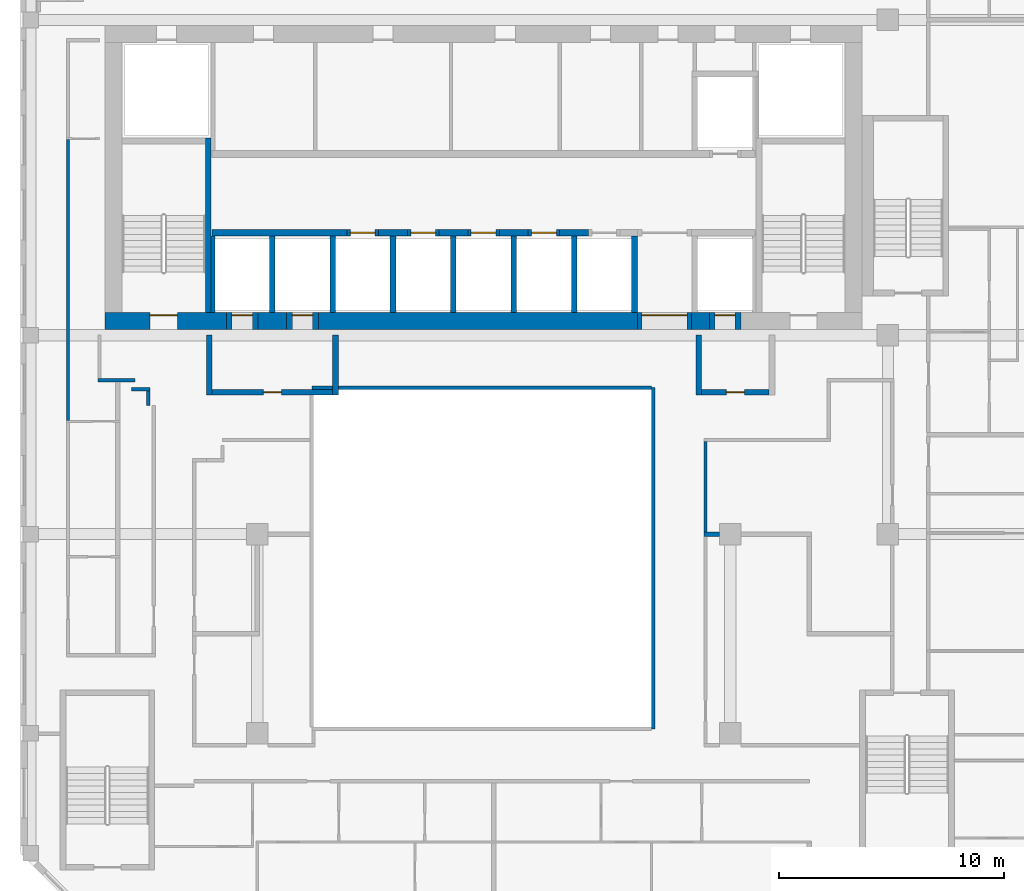
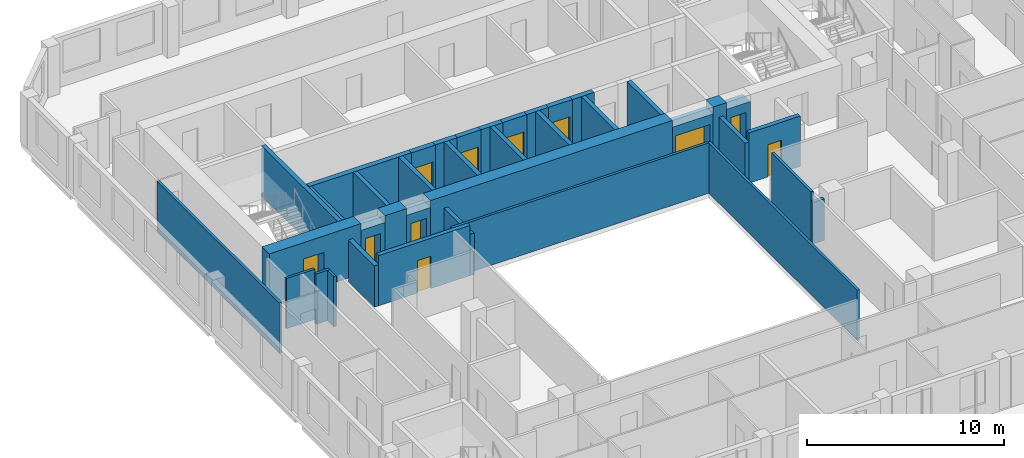
# One storey, part 4 of 19: 39 walls, 11 doors, 11 openings.
"""IFC4 building model written with IfcOpenShell, lengths in metres."""

from ifc_helpers import new_model, si_unit, direction, frame, frame_2d, origin, place, context, subcontext, project, spatial, rectangle, extrude, source, transform, mapped, material, layer, layer_set, type_object, element, fill, save


model = new_model("IFC4")

# Units and contexts
model_context = context("Model", 3, precision=1e-05, world=origin(), true_north=direction((0.0, 1.0)))
body_context = subcontext(model_context, "Body", "Model", "MODEL_VIEW")
ifc_project = project(units=[si_unit("LENGTHUNIT", "METRE"), si_unit("AREAUNIT", "SQUARE_METRE"), si_unit("VOLUMEUNIT", "CUBIC_METRE"), si_unit("PLANEANGLEUNIT", "RADIAN"), si_unit("MASSUNIT", "GRAM", prefix="KILO")], contexts=[model_context])

# Site, building, storey
site_placement = place(None, origin())
site = spatial("IfcSite", under=ifc_project, at=site_placement, CompositionType="ELEMENT")
building_placement = place(site_placement, origin())
building = spatial("IfcBuilding", under=site, at=building_placement, Name="Kilnfold Tower and Market Hall", CompositionType="ELEMENT")
storey_placement = place(building_placement, frame((0.0, 0.0, 252.60009765625)))
storey = spatial("IfcBuildingStorey", under=building, at=storey_placement, Name="L61", CompositionType="ELEMENT", Elevation=252.60009765625)

# Walls
ifc_material_1 = material(Name="Fire-resisting glazed screen")
ifc_layer_1 = layer(ifc_material_1, 0.14990234375)
ifc_layer_set_1 = layer_set([ifc_layer_1], Name="Fire-resisting glazed screen")
wall_type_1 = type_object("IfcWallType", Name="WALL ATRIUM 150", PredefinedType="PARTITIONING", material=ifc_layer_set_1)
wall_1_placement = place(storey_placement, frame((-6.574951171875, 5.675048828125, 0.0), z_axis=(0.0, 0.0, 1.0), x_axis=(1.0, 0.0, 0.0)))
element("IfcWall", 1, at=wall_1_placement, inside=storey, type_object=wall_type_1, Name="Partition LY37.109", PredefinedType="PARTITIONING", context=body_context, shape_type="SweptSolid", body=[
    extrude(rectangle(XDim=15.074951171875, YDim=0.14990234375, at=frame_2d((7.53759765625, 0.0))), origin(), (0.0, 0.0, 1.0), 3.119873046875),
])
wall_2_placement = place(storey_placement, frame((8.574951171875, 5.675048828125, 0.0), z_axis=(0.0, 0.0, 1.0), x_axis=(0.0, -1.0, 0.0)))
element("IfcWall", 2, at=wall_2_placement, inside=storey, type_object=wall_type_1, Name="Partition LY37.110", PredefinedType="PARTITIONING", context=body_context, shape_type="SweptSolid", body=[
    extrude(rectangle(XDim=15.150146484375, YDim=0.14990234375, at=frame_2d((7.5751953125, 0.0))), origin(), (0.0, 0.0, 1.0), 3.119873046875),
])
ifc_material_2 = material(Name="Gypsum board on steel studs", Category="steel")
ifc_layer_2 = layer(ifc_material_2, 0.14990234375)
ifc_layer_set_2 = layer_set([ifc_layer_2], Name="Gypsum board on steel studs")
wall_type_2 = type_object("IfcWallType", Name="WALL CORRIDOR 150", PredefinedType="PARTITIONING", material=ifc_layer_set_2)
wall_3_placement = place(storey_placement, frame((-17.39990234375, 4.214111328125, 0.0), z_axis=(0.0, 0.0, 1.0), x_axis=(0.0, 1.0, 0.0)))
element("IfcWall", 3, at=wall_3_placement, inside=storey, type_object=wall_type_2, Name="Partition LY37.4", PredefinedType="PARTITIONING", context=body_context, shape_type="SweptSolid", body=[
    extrude(rectangle(XDim=12.476806640625, YDim=0.14990234375, at=frame_2d((6.23828125, 0.0))), origin(), (0.0, 0.0, 1.0), 3.119873046875),
])
wall_4_placement = place(storey_placement, frame((-16.074951171875, 6.0, 0.0), z_axis=(0.0, 0.0, 1.0), x_axis=(1.0, 0.0, 0.0)))
element("IfcWall", 4, at=wall_4_placement, inside=storey, type_object=wall_type_2, Name="Partition LY37.5", PredefinedType="PARTITIONING", context=body_context, shape_type="SweptSolid", body=[
    extrude(rectangle(XDim=1.64990234375, YDim=0.14990234375, at=frame_2d((0.824951171875, 0.0))), origin(), (0.0, 0.0, 1.0), 3.119873046875),
])
wall_5_placement = place(storey_placement, frame((-13.843017578125, 5.52490234375, 0.0), z_axis=(0.0, 0.0, 1.0), x_axis=(0.0, -1.0, 0.0)))
element("IfcWall", 5, at=wall_5_placement, inside=storey, type_object=wall_type_2, Name="Partition LY37.29", PredefinedType="PARTITIONING", context=body_context, shape_type="SweptSolid", body=[
    extrude(rectangle(XDim=0.64599609375, YDim=0.14990234375, at=frame_2d((0.322998046875, 0.0))), origin(), (0.0, 0.0, 1.0), 3.119873046875),
])
wall_6_placement = place(storey_placement, frame((-14.574951171875, 5.60009765625, 0.0), z_axis=(0.0, 0.0, 1.0), x_axis=(1.0, 0.0, 0.0)))
element("IfcWall", 6, at=wall_6_placement, inside=storey, type_object=wall_type_2, Name="Partition LY37.30", PredefinedType="PARTITIONING", context=body_context, shape_type="SweptSolid", body=[
    extrude(rectangle(XDim=0.806884765625, YDim=0.14990234375, at=frame_2d((0.4033203125, 0.0))), origin(), (0.0, 0.0, 1.0), 3.119873046875),
])
wall_7_placement = place(storey_placement, frame((10.89990234375, -0.742919921875, 0.0), z_axis=(0.0, 0.0, 1.0), x_axis=(0.0, 1.0, 0.0)))
element("IfcWall", 7, at=wall_7_placement, inside=storey, type_object=wall_type_2, Name="Partition LY37.49", PredefinedType="PARTITIONING", context=body_context, shape_type="SweptSolid", body=[
    extrude(rectangle(XDim=4.017822265625, YDim=0.14990234375, at=frame_2d((2.0087890625, 0.0))), origin(), (0.0, 0.0, 1.0), 3.119873046875),
])
ifc_material_3 = material(Name="Gypsum board on steel studs", Category="steel")
ifc_layer_3 = layer(ifc_material_3, 0.199951171875)
ifc_layer_set_3 = layer_set([ifc_layer_3], Name="Gypsum board on steel studs")
wall_type_3 = type_object("IfcWallType", Name="WALL PARTY 200", PredefinedType="PARTITIONING", material=ifc_layer_set_3)
wall_8_placement = place(storey_placement, frame((10.826904296875, -0.8330078125, 0.0), z_axis=(0.0, 0.0, 1.0), x_axis=(1.0, 0.0, 0.0)))
element("IfcWall", 8, at=wall_8_placement, inside=storey, type_object=wall_type_3, Name="Partition LY37.103", PredefinedType="PARTITIONING", context=body_context, shape_type="SweptSolid", body=[
    extrude(rectangle(XDim=0.697998046875, YDim=0.199951171875, at=frame_2d((0.34912109375, 0.0))), origin(), (0.0, 0.0, 1.0), 2.56982421875),
])
ifc_material_4 = material(Name="Concrete C60", Category="concrete")
ifc_layer_4 = layer(ifc_material_4, 0.25)
ifc_layer_set_4 = layer_set([ifc_layer_4], Name="Concrete C60")
wall_type_4 = type_object("IfcWallType", Name="CORE WALL 250 C60", PredefinedType="SHEAR", material=ifc_layer_set_4)
shared_shape_1 = source(origin(), body_context, "Body", "SweptSolid", [
    extrude(rectangle(XDim=7.75, YDim=0.25, at=frame_2d((3.875, 0.0))), origin(), (0.0, 0.0, 1.0), 3.119873046875),
])
wall_9_placement = place(storey_placement, frame((-11.175048828125, 9.0, 0.0), z_axis=(0.0, 0.0, 1.0), x_axis=(0.0, 1.0, 0.0)))
element("IfcWall", 9, at=wall_9_placement, inside=storey, type_object=wall_type_4, Name="Stair enclosure ST1", PredefinedType="SHEAR", context=body_context, shape_type="MappedRepresentation", body=[
    mapped(shared_shape_1, transform((0.0, 0.0, 0.0))),
])
ifc_material_5 = material(Name="Concrete C60", Category="concrete")
ifc_layer_5 = layer(ifc_material_5, 0.300048828125)
ifc_layer_set_5 = layer_set([ifc_layer_5], Name="Concrete C60")
wall_type_5 = type_object("IfcWallType", Name="CORE WALL 300 C60", PredefinedType="SHEAR", material=ifc_layer_set_5)
shared_shape_2 = source(origin(), body_context, "Body", "SweptSolid", [
    extrude(rectangle(XDim=6.0, YDim=0.300048828125, at=frame_2d((3.0, 0.0))), origin(), (0.0, 0.0, 1.0), 3.119873046875),
])
wall_10_placement = place(storey_placement, frame((-11.010009765625, 12.550048828125, 0.0), z_axis=(0.0, 0.0, 1.0), x_axis=(1.0, 0.0, 0.0)))
element("IfcWall", 10, at=wall_10_placement, inside=storey, type_object=wall_type_5, Name="Core spine wall", PredefinedType="SHEAR", context=body_context, shape_type="MappedRepresentation", body=[
    mapped(shared_shape_2, transform((0.0, 0.0, 0.0))),
])
shared_shape_3 = source(origin(), body_context, "Body", "SweptSolid", [
    extrude(rectangle(XDim=1.280029296875, YDim=0.300048828125, at=frame_2d((0.64013671875, 0.0))), origin(), (0.0, 0.0, 1.0), 3.119873046875),
])
for number, where, z_axis, x_axis, name in (
    (11, (-3.610107421875, 12.550048828125, 0.0), (0.0, 0.0, 1.0), (1.0, 0.0, 0.0), "Core spine wall"),
    (12, (-0.929931640625, 12.550048828125, 0.0), (0.0, 0.0, 1.0), (1.0, 0.0, 0.0), "Core spine wall"),
    (13, (1.75, 12.550048828125, 0.0), (0.0, 0.0, 1.0), (1.0, 0.0, 0.0), "Core spine wall"),
    (14, (4.429931640625, 12.550048828125, 0.0), (0.0, 0.0, 1.0), (1.0, 0.0, 0.0), "Core spine wall"),
):
    element("IfcWall", number, at=place(storey_placement, frame(where, z_axis=z_axis, x_axis=x_axis)), inside=storey, type_object=wall_type_5, Name=name, PredefinedType="SHEAR", context=body_context, shape_type="MappedRepresentation", body=[
        mapped(shared_shape_3, transform((0.0, 0.0, 0.0))),
    ])

# Wall, opening, door
ifc_material_6 = material(Name="Concrete C60", Category="concrete")
ifc_layer_6 = layer(ifc_material_6, 0.75)
ifc_layer_set_6 = layer_set([ifc_layer_6], Name="Concrete C60")
wall_type_6 = type_object("IfcWallType", Name="CORE WALL 750 C60", PredefinedType="SHEAR", material=ifc_layer_set_6)
shared_shape_4 = source(origin(), body_context, "Body", "SweptSolid", [
    extrude(rectangle(XDim=5.3798828125, YDim=0.75, at=frame_2d((2.68994140625, 0.0))), origin(), (0.0, 0.0, 1.0), 3.119873046875),
])
wall_11_placement = place(storey_placement, frame((-15.75, 8.625, 0.0), z_axis=(0.0, 0.0, 1.0), x_axis=(1.0, 0.0, 0.0)))
wall_11 = element("IfcWall", 15, at=wall_11_placement, inside=storey, type_object=wall_type_6, Name="Core outer wall south", PredefinedType="SHEAR", context=body_context, shape_type="MappedRepresentation", body=[
    mapped(shared_shape_4, transform((0.0, 0.0, 0.0))),
])
opening_1_placement = place(wall_11_placement, frame((2.0, 0.0, 0.0)))
opening_1 = element("IfcOpeningElement", 16, at=opening_1_placement, cuts=wall_11, Name="Opening SD1", PredefinedType="OPENING", context=body_context, shape_type="SweptSolid", body=[
    extrude(rectangle(XDim=1.199951171875, YDim=2.10009765625, at=frame_2d((0.60009765625, 1.050048828125))), frame((0.0, 0.385009765625, 0.0), z_axis=(0.0, -1.0, 0.0), x_axis=(1.0, 0.0, 0.0)), (0.0, 0.0, 1.0), 0.77001953125),
])
ifc_material_7 = material(Name="Steel door set with fire-resisting leaf", Category="steel")
door_type_1 = type_object("IfcDoorType", Name="STAIR FLOOR DOOR 1200X2100", OperationType="NOTDEFINED", PredefinedType="DOOR", material=ifc_material_7)
door_1_placement = place(opening_1_placement, origin())
door_1 = element("IfcDoor", 17, at=door_1_placement, inside=storey, type_object=door_type_1, Name="Exit stair ST1 door", OperationType="DOUBLE_DOOR_SINGLE_SWING", OverallHeight=2.10009765625, OverallWidth=1.199951171875, PredefinedType="DOOR", context=body_context, shape_type="SweptSolid", body=[
    extrude(rectangle(XDim=1.199951171875, YDim=2.10009765625, at=frame_2d((0.60009765625, 1.050048828125))), frame((0.0, 0.27978515625, 0.0), z_axis=(0.0, -1.0, 0.0), x_axis=(1.0, 0.0, 0.0)), (0.0, 0.0, 1.0), 0.050048828125),
])
fill(opening_1, door_1)

# Walls
shared_shape_5 = source(origin(), body_context, "Body", "SweptSolid", [
    extrude(rectangle(XDim=1.280029296875, YDim=0.75, at=frame_2d((0.64013671875, 0.0))), origin(), (0.0, 0.0, 1.0), 3.119873046875),
])
wall_12_placement = place(storey_placement, frame((-8.969970703125, 8.625, 0.0), z_axis=(0.0, 0.0, 1.0), x_axis=(1.0, 0.0, 0.0)))
element("IfcWall", 18, at=wall_12_placement, inside=storey, type_object=wall_type_6, Name="Core outer wall south", PredefinedType="SHEAR", context=body_context, shape_type="MappedRepresentation", body=[
    mapped(shared_shape_5, transform((0.0, 0.0, 0.0))),
])
shared_shape_6 = source(origin(), body_context, "Body", "SweptSolid", [
    extrude(rectangle(XDim=14.179931640625, YDim=0.75, at=frame_2d((7.08984375, 0.0))), origin(), (0.0, 0.0, 1.0), 3.119873046875),
])
wall_13_placement = place(storey_placement, frame((-6.2900390625, 8.625, 0.0), z_axis=(0.0, 0.0, 1.0), x_axis=(1.0, 0.0, 0.0)))
element("IfcWall", 19, at=wall_13_placement, inside=storey, type_object=wall_type_6, Name="Core outer wall south", PredefinedType="SHEAR", context=body_context, shape_type="MappedRepresentation", body=[
    mapped(shared_shape_6, transform((0.0, 0.0, 0.0))),
])
shared_shape_7 = source(origin(), body_context, "Body", "SweptSolid", [
    extrude(rectangle(XDim=0.780029296875, YDim=0.75, at=frame_2d((0.39013671875, 0.0))), origin(), (0.0, 0.0, 1.0), 3.119873046875),
])
wall_14_placement = place(storey_placement, frame((10.2900390625, 8.625, 0.0), z_axis=(0.0, 0.0, 1.0), x_axis=(1.0, 0.0, 0.0)))
element("IfcWall", 20, at=wall_14_placement, inside=storey, type_object=wall_type_6, Name="Core outer wall south", PredefinedType="SHEAR", context=body_context, shape_type="MappedRepresentation", body=[
    mapped(shared_shape_7, transform((0.0, 0.0, 0.0))),
])

# Wall, opening, door
ifc_material_8 = material(Name="Gypsum shaft wall system")
ifc_layer_7 = layer(ifc_material_8, 0.300048828125)
ifc_layer_set_7 = layer_set([ifc_layer_7], Name="Gypsum shaft wall system")
wall_type_7 = type_object("IfcWallType", Name="SHAFT WALL 300", PredefinedType="PARTITIONING", material=ifc_layer_set_7)
shared_shape_8 = source(origin(), body_context, "Body", "SweptSolid", [
    extrude(rectangle(XDim=1.39990234375, YDim=0.300048828125, at=frame_2d((0.699951171875, 0.0))), origin(), (0.0, 0.0, 1.0), 3.119873046875),
])
wall_15_placement = place(storey_placement, frame((-5.010009765625, 12.550048828125, 0.0), z_axis=(0.0, 0.0, 1.0), x_axis=(1.0, 0.0, 0.0)))
wall_15 = element("IfcWall", 21, at=wall_15_placement, inside=storey, type_object=wall_type_7, Name="Lift shaft front wall", PredefinedType="PARTITIONING", context=body_context, shape_type="MappedRepresentation", body=[
    mapped(shared_shape_8, transform((0.0, 0.0, 0.0))),
])
opening_2_placement = place(wall_15_placement, frame((0.14990234375, 0.0, 0.0)))
opening_2 = element("IfcOpeningElement", 22, at=opening_2_placement, cuts=wall_15, Name="Opening LD2", PredefinedType="OPENING", context=body_context, shape_type="SweptSolid", body=[
    extrude(rectangle(XDim=1.10009765625, YDim=2.10009765625, at=frame_2d((0.550048828125, 1.050048828125))), frame((0.0, 0.16015625, 0.0), z_axis=(0.0, -1.0, 0.0), x_axis=(1.0, 0.0, 0.0)), (0.0, 0.0, 1.0), 0.320068359375),
])
ifc_material_9 = material(Name="Steel door set with fire-resisting leaf", Category="steel")
door_type_2 = type_object("IfcDoorType", Name="LANDING DOOR 1100X2100", OperationType="NOTDEFINED", PredefinedType="DOOR", material=ifc_material_9)
door_2_placement = place(opening_2_placement, origin())
door_2 = element("IfcDoor", 23, at=door_2_placement, inside=storey, type_object=door_type_2, Name="Landing door HR1", OperationType="DOUBLE_DOOR_SLIDING", OverallHeight=2.10009765625, OverallWidth=1.10009765625, PredefinedType="DOOR", context=body_context, shape_type="SweptSolid", body=[
    extrude(rectangle(XDim=1.10009765625, YDim=2.10009765625, at=frame_2d((0.550048828125, 1.050048828125))), frame((0.0, 0.02490234375, 0.0), z_axis=(0.0, -1.0, 0.0), x_axis=(1.0, 0.0, 0.0)), (0.0, 0.0, 1.0), 0.050048828125),
])
fill(opening_2, door_2)

wall_16_placement = place(storey_placement, frame((0.35009765625, 12.550048828125, 0.0), z_axis=(0.0, 0.0, 1.0), x_axis=(1.0, 0.0, 0.0)))
wall_16 = element("IfcWall", 24, at=wall_16_placement, inside=storey, type_object=wall_type_7, Name="Lift shaft front wall", PredefinedType="PARTITIONING", context=body_context, shape_type="MappedRepresentation", body=[
    mapped(shared_shape_8, transform((0.0, 0.0, 0.0))),
])
opening_3_placement = place(wall_16_placement, frame((0.14990234375, 0.0, 0.0)))
opening_3 = element("IfcOpeningElement", 25, at=opening_3_placement, cuts=wall_16, Name="Opening LD2", PredefinedType="OPENING", context=body_context, shape_type="SweptSolid", body=[
    extrude(rectangle(XDim=1.10009765625, YDim=2.10009765625, at=frame_2d((0.550048828125, 1.050048828125))), frame((0.0, 0.16015625, 0.0), z_axis=(0.0, -1.0, 0.0), x_axis=(1.0, 0.0, 0.0)), (0.0, 0.0, 1.0), 0.320068359375),
])
door_3_placement = place(opening_3_placement, origin())
door_3 = element("IfcDoor", 26, at=door_3_placement, inside=storey, type_object=door_type_2, Name="Landing door HR3", OperationType="DOUBLE_DOOR_SLIDING", OverallHeight=2.10009765625, OverallWidth=1.10009765625, PredefinedType="DOOR", context=body_context, shape_type="SweptSolid", body=[
    extrude(rectangle(XDim=1.10009765625, YDim=2.10009765625, at=frame_2d((0.550048828125, 1.050048828125))), frame((0.0, 0.02490234375, 0.0), z_axis=(0.0, -1.0, 0.0), x_axis=(1.0, 0.0, 0.0)), (0.0, 0.0, 1.0), 0.050048828125),
])
fill(opening_3, door_3)

wall_17_placement = place(storey_placement, frame((3.030029296875, 12.550048828125, 0.0), z_axis=(0.0, 0.0, 1.0), x_axis=(1.0, 0.0, 0.0)))
wall_17 = element("IfcWall", 27, at=wall_17_placement, inside=storey, type_object=wall_type_7, Name="Lift shaft front wall", PredefinedType="PARTITIONING", context=body_context, shape_type="MappedRepresentation", body=[
    mapped(shared_shape_8, transform((0.0, 0.0, 0.0))),
])
opening_4_placement = place(wall_17_placement, frame((0.14990234375, 0.0, 0.0)))
opening_4 = element("IfcOpeningElement", 28, at=opening_4_placement, cuts=wall_17, Name="Opening LD2", PredefinedType="OPENING", context=body_context, shape_type="SweptSolid", body=[
    extrude(rectangle(XDim=1.10009765625, YDim=2.10009765625, at=frame_2d((0.550048828125, 1.050048828125))), frame((0.0, 0.16015625, 0.0), z_axis=(0.0, -1.0, 0.0), x_axis=(1.0, 0.0, 0.0)), (0.0, 0.0, 1.0), 0.320068359375),
])
door_4_placement = place(opening_4_placement, origin())
door_4 = element("IfcDoor", 29, at=door_4_placement, inside=storey, type_object=door_type_2, Name="Landing door HR4", OperationType="DOUBLE_DOOR_SLIDING", OverallHeight=2.10009765625, OverallWidth=1.10009765625, PredefinedType="DOOR", context=body_context, shape_type="SweptSolid", body=[
    extrude(rectangle(XDim=1.10009765625, YDim=2.10009765625, at=frame_2d((0.550048828125, 1.050048828125))), frame((0.0, 0.02490234375, 0.0), z_axis=(0.0, -1.0, 0.0), x_axis=(1.0, 0.0, 0.0)), (0.0, 0.0, 1.0), 0.050048828125),
])
fill(opening_4, door_4)

shared_shape_9 = source(origin(), body_context, "Body", "SweptSolid", [
    extrude(rectangle(XDim=1.400146484375, YDim=0.300048828125, at=frame_2d((0.7001953125, 0.0))), origin(), (0.0, 0.0, 1.0), 3.119873046875),
])
wall_18_placement = place(storey_placement, frame((-2.330078125, 12.550048828125, 0.0), z_axis=(0.0, 0.0, 1.0), x_axis=(1.0, 0.0, 0.0)))
wall_18 = element("IfcWall", 30, at=wall_18_placement, inside=storey, type_object=wall_type_7, Name="Lift shaft front wall", PredefinedType="PARTITIONING", context=body_context, shape_type="MappedRepresentation", body=[
    mapped(shared_shape_9, transform((0.0, 0.0, 0.0))),
])
opening_5_placement = place(wall_18_placement, frame((0.14990234375, 0.0, 0.0)))
opening_5 = element("IfcOpeningElement", 31, at=opening_5_placement, cuts=wall_18, Name="Opening LD2", PredefinedType="OPENING", context=body_context, shape_type="SweptSolid", body=[
    extrude(rectangle(XDim=1.10009765625, YDim=2.10009765625, at=frame_2d((0.550048828125, 1.050048828125))), frame((0.0, 0.16015625, 0.0), z_axis=(0.0, -1.0, 0.0), x_axis=(1.0, 0.0, 0.0)), (0.0, 0.0, 1.0), 0.320068359375),
])
door_5_placement = place(opening_5_placement, origin())
door_5 = element("IfcDoor", 32, at=door_5_placement, inside=storey, type_object=door_type_2, Name="Landing door HR2", OperationType="DOUBLE_DOOR_SLIDING", OverallHeight=2.10009765625, OverallWidth=1.10009765625, PredefinedType="DOOR", context=body_context, shape_type="SweptSolid", body=[
    extrude(rectangle(XDim=1.10009765625, YDim=2.10009765625, at=frame_2d((0.550048828125, 1.050048828125))), frame((0.0, 0.02490234375, 0.0), z_axis=(0.0, -1.0, 0.0), x_axis=(1.0, 0.0, 0.0)), (0.0, 0.0, 1.0), 0.050048828125),
])
fill(opening_5, door_5)

ifc_material_10 = material(Name="Gypsum shaft wall system")
ifc_layer_8 = layer(ifc_material_10, 0.25)
ifc_layer_set_8 = layer_set([ifc_layer_8], Name="Gypsum shaft wall system")
wall_type_8 = type_object("IfcWallType", Name="LOBBY WALL 250", PredefinedType="PARTITIONING", material=ifc_layer_set_8)
shared_shape_10 = source(origin(), body_context, "Body", "SweptSolid", [
    extrude(rectangle(XDim=5.360107421875, YDim=0.25, at=frame_2d((2.68017578125, 0.0))), origin(), (0.0, 0.0, 1.0), 3.119873046875),
])
wall_19_placement = place(storey_placement, frame((-11.010009765625, 5.47509765625, 0.0), z_axis=(0.0, 0.0, 1.0), x_axis=(1.0, 0.0, 0.0)))
wall_19 = element("IfcWall", 33, at=wall_19_placement, inside=storey, type_object=wall_type_8, Name="Firefighting lobby wall", PredefinedType="PARTITIONING", context=body_context, shape_type="MappedRepresentation", body=[
    mapped(shared_shape_10, transform((0.0, 0.0, 0.0))),
])
opening_6_placement = place(wall_19_placement, frame((2.280029296875, 0.0, 0.0)))
opening_6 = element("IfcOpeningElement", 34, at=opening_6_placement, cuts=wall_19, Name="Opening VD1", PredefinedType="OPENING", context=body_context, shape_type="SweptSolid", body=[
    extrude(rectangle(XDim=0.800048828125, YDim=2.0, at=frame_2d((0.39990234375, 1.0))), frame((0.0, 0.135009765625, 0.0), z_axis=(0.0, -1.0, 0.0), x_axis=(1.0, 0.0, 0.0)), (0.0, 0.0, 1.0), 0.27001953125),
])
ifc_material_11 = material(Name="Steel door set with fire-resisting leaf", Category="steel")
door_type_3 = type_object("IfcDoorType", Name="FIREFIGHTING LOBBY DOOR 800X2000", OperationType="NOTDEFINED", PredefinedType="DOOR", material=ifc_material_11)
door_6_placement = place(opening_6_placement, origin())
door_6 = element("IfcDoor", 35, at=door_6_placement, inside=storey, type_object=door_type_3, Name="Firefighting lobby door", OperationType="SINGLE_SWING_LEFT", OverallHeight=2.0, OverallWidth=0.800048828125, PredefinedType="DOOR", context=body_context, shape_type="SweptSolid", body=[
    extrude(rectangle(XDim=0.800048828125, YDim=2.0, at=frame_2d((0.39990234375, 1.0))), frame((0.0, 0.02490234375, 0.0), z_axis=(0.0, -1.0, 0.0), x_axis=(1.0, 0.0, 0.0)), (0.0, 0.0, 1.0), 0.050048828125),
])
fill(opening_6, door_6)

shared_shape_11 = source(origin(), body_context, "Body", "SweptSolid", [
    extrude(rectangle(XDim=3.0, YDim=0.25, at=frame_2d((1.5, 0.0))), origin(), (0.0, 0.0, 1.0), 3.119873046875),
])
wall_20_placement = place(storey_placement, frame((10.72998046875, 5.47509765625, 0.0), z_axis=(0.0, 0.0, 1.0), x_axis=(1.0, 0.0, 0.0)))
wall_20 = element("IfcWall", 36, at=wall_20_placement, inside=storey, type_object=wall_type_8, Name="Firefighting lobby wall", PredefinedType="PARTITIONING", context=body_context, shape_type="MappedRepresentation", body=[
    mapped(shared_shape_11, transform((0.0, 0.0, 0.0))),
])
opening_7_placement = place(wall_20_placement, frame((1.10009765625, 0.0, 0.0)))
opening_7 = element("IfcOpeningElement", 37, at=opening_7_placement, cuts=wall_20, Name="Opening VD1", PredefinedType="OPENING", context=body_context, shape_type="SweptSolid", body=[
    extrude(rectangle(XDim=0.800048828125, YDim=2.0, at=frame_2d((0.39990234375, 1.0))), frame((0.0, 0.135009765625, 0.0), z_axis=(0.0, -1.0, 0.0), x_axis=(1.0, 0.0, 0.0)), (0.0, 0.0, 1.0), 0.27001953125),
])
door_7_placement = place(opening_7_placement, origin())
door_7 = element("IfcDoor", 38, at=door_7_placement, inside=storey, type_object=door_type_3, Name="Firefighting lobby door", OperationType="SINGLE_SWING_RIGHT", OverallHeight=2.0, OverallWidth=0.800048828125, PredefinedType="DOOR", context=body_context, shape_type="SweptSolid", body=[
    extrude(rectangle(XDim=0.800048828125, YDim=2.0, at=frame_2d((0.39990234375, 1.0))), frame((0.0, 0.02490234375, 0.0), z_axis=(0.0, -1.0, 0.0), x_axis=(1.0, 0.0, 0.0)), (0.0, 0.0, 1.0), 0.050048828125),
])
fill(opening_7, door_7)

# Walls
ifc_material_12 = material(Name="Gypsum shaft wall system")
ifc_layer_9 = layer(ifc_material_12, 0.25)
ifc_layer_set_9 = layer_set([ifc_layer_9], Name="Gypsum shaft wall system")
wall_type_9 = type_object("IfcWallType", Name="SHAFT WALL 250", PredefinedType="PARTITIONING", material=ifc_layer_set_9)
shared_shape_12 = source(origin(), body_context, "Body", "SweptSolid", [
    extrude(rectangle(XDim=3.39990234375, YDim=0.25, at=frame_2d((1.699951171875, 0.0))), origin(), (0.0, 0.0, 1.0), 3.119873046875),
])
for number, where, z_axis, x_axis, name in (
    (39, (2.389892578125, 9.0, 0.0), (0.0, 0.0, 1.0), (0.0, 1.0, 0.0), "Lift shaft wall"),
    (40, (5.070068359375, 9.0, 0.0), (0.0, 0.0, 1.0), (0.0, 1.0, 0.0), "Lift shaft wall"),
    (41, (7.75, 9.0, 0.0), (0.0, 0.0, 1.0), (0.0, 1.0, 0.0), "Lift shaft wall"),
    (42, (-0.2900390625, 9.0, 0.0), (0.0, 0.0, 1.0), (0.0, 1.0, 0.0), "Lift shaft wall"),
    (43, (-2.969970703125, 9.0, 0.0), (0.0, 0.0, 1.0), (0.0, 1.0, 0.0), "Lift shaft wall"),
    (44, (-5.64990234375, 9.0, 0.0), (0.0, 0.0, 1.0), (0.0, 1.0, 0.0), "Lift shaft wall"),
    (45, (-8.330078125, 9.0, 0.0), (0.0, 0.0, 1.0), (0.0, 1.0, 0.0), "Lift shaft wall"),
):
    element("IfcWall", number, at=place(storey_placement, frame(where, z_axis=z_axis, x_axis=x_axis)), inside=storey, type_object=wall_type_9, Name=name, PredefinedType="PARTITIONING", context=body_context, shape_type="MappedRepresentation", body=[
        mapped(shared_shape_12, transform((0.0, 0.0, 0.0))),
    ])
ifc_material_13 = material(Name="Gypsum shaft wall system")
ifc_layer_10 = layer(ifc_material_13, 0.1650390625)
ifc_layer_set_10 = layer_set([ifc_layer_10], Name="Gypsum shaft wall system")
wall_type_10 = type_object("IfcWallType", Name="SHAFT WALL 165", PredefinedType="PARTITIONING", material=ifc_layer_set_10)
shared_shape_13 = source(origin(), body_context, "Body", "SweptSolid", [
    extrude(rectangle(XDim=3.39990234375, YDim=0.1650390625, at=frame_2d((1.699951171875, 0.0))), origin(), (0.0, 0.0, 1.0), 3.119873046875),
])
wall_21_placement = place(storey_placement, frame((-10.967529296875, 9.0, 0.0), z_axis=(0.0, 0.0, 1.0), x_axis=(0.0, 1.0, 0.0)))
element("IfcWall", 46, at=wall_21_placement, inside=storey, type_object=wall_type_10, Name="Lift shaft wall", PredefinedType="PARTITIONING", context=body_context, shape_type="MappedRepresentation", body=[
    mapped(shared_shape_13, transform((0.0, 0.0, 0.0))),
])

# Wall, opening, door
ifc_material_14 = material(Name="Gypsum shaft wall system")
ifc_layer_11 = layer(ifc_material_14, 0.75)
ifc_layer_set_11 = layer_set([ifc_layer_11], Name="Gypsum shaft wall system")
wall_type_11 = type_object("IfcWallType", Name="LOBBY WALL 750", PredefinedType="PARTITIONING", material=ifc_layer_set_11)
shared_shape_14 = source(origin(), body_context, "Body", "SweptSolid", [
    extrude(rectangle(XDim=1.400146484375, YDim=0.75, at=frame_2d((0.7001953125, 0.0))), origin(), (0.0, 0.0, 1.0), 2.699951171875),
])
wall_22_placement = place(storey_placement, frame((-10.3701171875, 8.625, 0.0), z_axis=(0.0, 0.0, 1.0), x_axis=(1.0, 0.0, 0.0)))
wall_22 = element("IfcWall", 47, at=wall_22_placement, inside=storey, type_object=wall_type_11, Name="Core wall infill", PredefinedType="PARTITIONING", context=body_context, shape_type="MappedRepresentation", body=[
    mapped(shared_shape_14, transform((0.0, 0.0, 0.0))),
])
opening_8_placement = place(wall_22_placement, frame((0.25, 0.0, 0.0)))
opening_8 = element("IfcOpeningElement", 48, at=opening_8_placement, cuts=wall_22, Name="Opening LD1", PredefinedType="OPENING", context=body_context, shape_type="SweptSolid", body=[
    extrude(rectangle(XDim=0.89990234375, YDim=2.10009765625, at=frame_2d((0.449951171875, 1.050048828125))), frame((0.0, 0.385009765625, 0.0), z_axis=(0.0, -1.0, 0.0), x_axis=(1.0, 0.0, 0.0)), (0.0, 0.0, 1.0), 0.77001953125),
])
ifc_material_15 = material(Name="Steel door set with fire-resisting leaf", Category="steel")
door_type_4 = type_object("IfcDoorType", Name="FIREFIGHTING LANDING DOOR 900X2100", OperationType="NOTDEFINED", PredefinedType="DOOR", material=ifc_material_15)
door_8_placement = place(opening_8_placement, origin())
door_8 = element("IfcDoor", 49, at=door_8_placement, inside=storey, type_object=door_type_4, Name="Landing door FF1", OperationType="SLIDING_TO_LEFT", OverallHeight=2.10009765625, OverallWidth=0.89990234375, PredefinedType="DOOR", context=body_context, shape_type="SweptSolid", body=[
    extrude(rectangle(XDim=0.89990234375, YDim=2.10009765625, at=frame_2d((0.449951171875, 1.050048828125))), frame((0.0, 0.27978515625, 0.0), z_axis=(0.0, -1.0, 0.0), x_axis=(1.0, 0.0, 0.0)), (0.0, 0.0, 1.0), 0.050048828125),
])
fill(opening_8, door_8)

shared_shape_15 = source(origin(), body_context, "Body", "SweptSolid", [
    extrude(rectangle(XDim=1.39990234375, YDim=0.75, at=frame_2d((0.699951171875, 0.0))), origin(), (0.0, 0.0, 1.0), 2.699951171875),
])
wall_23_placement = place(storey_placement, frame((-7.68994140625, 8.625, 0.0), z_axis=(0.0, 0.0, 1.0), x_axis=(1.0, 0.0, 0.0)))
wall_23 = element("IfcWall", 50, at=wall_23_placement, inside=storey, type_object=wall_type_11, Name="Core wall infill", PredefinedType="PARTITIONING", context=body_context, shape_type="MappedRepresentation", body=[
    mapped(shared_shape_15, transform((0.0, 0.0, 0.0))),
])
opening_9_placement = place(wall_23_placement, frame((0.25, 0.0, 0.0)))
opening_9 = element("IfcOpeningElement", 51, at=opening_9_placement, cuts=wall_23, Name="Opening LD1", PredefinedType="OPENING", context=body_context, shape_type="SweptSolid", body=[
    extrude(rectangle(XDim=0.89990234375, YDim=2.10009765625, at=frame_2d((0.449951171875, 1.050048828125))), frame((0.0, 0.385009765625, 0.0), z_axis=(0.0, -1.0, 0.0), x_axis=(1.0, 0.0, 0.0)), (0.0, 0.0, 1.0), 0.77001953125),
])
door_9_placement = place(opening_9_placement, origin())
door_9 = element("IfcDoor", 52, at=door_9_placement, inside=storey, type_object=door_type_4, Name="Landing door FF2", OperationType="SLIDING_TO_RIGHT", OverallHeight=2.10009765625, OverallWidth=0.89990234375, PredefinedType="DOOR", context=body_context, shape_type="SweptSolid", body=[
    extrude(rectangle(XDim=0.89990234375, YDim=2.10009765625, at=frame_2d((0.449951171875, 1.050048828125))), frame((0.0, 0.27978515625, 0.0), z_axis=(0.0, -1.0, 0.0), x_axis=(1.0, 0.0, 0.0)), (0.0, 0.0, 1.0), 0.050048828125),
])
fill(opening_9, door_9)

wall_24_placement = place(storey_placement, frame((11.070068359375, 8.625, 0.0), z_axis=(0.0, 0.0, 1.0), x_axis=(1.0, 0.0, 0.0)))
wall_24 = element("IfcWall", 53, at=wall_24_placement, inside=storey, type_object=wall_type_11, Name="Core wall infill", PredefinedType="PARTITIONING", context=body_context, shape_type="MappedRepresentation", body=[
    mapped(shared_shape_15, transform((0.0, 0.0, 0.0))),
])
opening_10_placement = place(wall_24_placement, frame((0.25, 0.0, 0.0)))
opening_10 = element("IfcOpeningElement", 54, at=opening_10_placement, cuts=wall_24, Name="Opening LD1", PredefinedType="OPENING", context=body_context, shape_type="SweptSolid", body=[
    extrude(rectangle(XDim=0.89990234375, YDim=2.10009765625, at=frame_2d((0.449951171875, 1.050048828125))), frame((0.0, 0.385009765625, 0.0), z_axis=(0.0, -1.0, 0.0), x_axis=(1.0, 0.0, 0.0)), (0.0, 0.0, 1.0), 0.77001953125),
])
door_10_placement = place(opening_10_placement, origin())
door_10 = element("IfcDoor", 55, at=door_10_placement, inside=storey, type_object=door_type_4, Name="Landing door FF3", OperationType="SLIDING_TO_LEFT", OverallHeight=2.10009765625, OverallWidth=0.89990234375, PredefinedType="DOOR", context=body_context, shape_type="SweptSolid", body=[
    extrude(rectangle(XDim=0.89990234375, YDim=2.10009765625, at=frame_2d((0.449951171875, 1.050048828125))), frame((0.0, 0.27978515625, 0.0), z_axis=(0.0, -1.0, 0.0), x_axis=(1.0, 0.0, 0.0)), (0.0, 0.0, 1.0), 0.050048828125),
])
fill(opening_10, door_10)

shared_shape_16 = source(origin(), body_context, "Body", "SweptSolid", [
    extrude(rectangle(XDim=2.400146484375, YDim=0.75, at=frame_2d((1.2001953125, 0.0))), origin(), (0.0, 0.0, 1.0), 2.699951171875),
])
wall_25_placement = place(storey_placement, frame((7.889892578125, 8.625, 0.0), z_axis=(0.0, 0.0, 1.0), x_axis=(1.0, 0.0, 0.0)))
wall_25 = element("IfcWall", 56, at=wall_25_placement, inside=storey, type_object=wall_type_11, Name="Core wall infill", PredefinedType="PARTITIONING", context=body_context, shape_type="MappedRepresentation", body=[
    mapped(shared_shape_16, transform((0.0, 0.0, 0.0))),
])
opening_11_placement = place(wall_25_placement, frame((0.199951171875, 0.0, 0.0)))
opening_11 = element("IfcOpeningElement", 57, at=opening_11_placement, cuts=wall_25, Name="Opening VD2", PredefinedType="OPENING", context=body_context, shape_type="SweptSolid", body=[
    extrude(rectangle(XDim=2.0, YDim=2.10009765625, at=frame_2d((1.0, 1.050048828125))), frame((0.0, 0.385009765625, 0.0), z_axis=(0.0, -1.0, 0.0), x_axis=(1.0, 0.0, 0.0)), (0.0, 0.0, 1.0), 0.77001953125),
])
ifc_material_16 = material(Name="Steel door set with fire-resisting leaf", Category="steel")
door_type_5 = type_object("IfcDoorType", Name="LIFT LOBBY ENTRANCE DOOR 2000X2100", OperationType="NOTDEFINED", PredefinedType="DOOR", material=ifc_material_16)
door_11_placement = place(opening_11_placement, origin())
door_11 = element("IfcDoor", 58, at=door_11_placement, inside=storey, type_object=door_type_5, Name="Lift lobby entrance door", OperationType="DOUBLE_DOOR_SINGLE_SWING", OverallHeight=2.10009765625, OverallWidth=2.0, PredefinedType="DOOR", context=body_context, shape_type="SweptSolid", body=[
    extrude(rectangle(XDim=2.0, YDim=2.10009765625, at=frame_2d((1.0, 1.050048828125))), frame((0.0, 0.27978515625, 0.0), z_axis=(0.0, -1.0, 0.0), x_axis=(1.0, 0.0, 0.0)), (0.0, 0.0, 1.0), 0.050048828125),
])
fill(opening_11, door_11)

# Walls
shared_shape_17 = source(origin(), body_context, "Body", "SweptSolid", [
    extrude(rectangle(XDim=2.64990234375, YDim=0.25, at=frame_2d((1.324951171875, 0.0))), origin(), (0.0, 0.0, 1.0), 2.56982421875),
])
for number, where, z_axis, x_axis, name in (
    (59, (-11.135009765625, 5.35009765625, 0.0), (0.0, 0.0, 1.0), (0.0, 1.0, 0.0), "Firefighting lobby wall"),
    (60, (-5.52490234375, 5.35009765625, 0.0), (0.0, 0.0, 1.0), (0.0, 1.0, 0.0), "Firefighting lobby wall"),
    (61, (10.60498046875, 5.35009765625, 0.0), (0.0, 0.0, 1.0), (0.0, 1.0, 0.0), "Firefighting lobby wall"),
):
    element("IfcWall", number, at=place(storey_placement, frame(where, z_axis=z_axis, x_axis=x_axis)), inside=storey, type_object=wall_type_8, Name=name, PredefinedType="PARTITIONING", context=body_context, shape_type="MappedRepresentation", body=[
        mapped(shared_shape_17, transform((0.0, 0.0, 0.0))),
    ])

save(model, "model.ifc")
